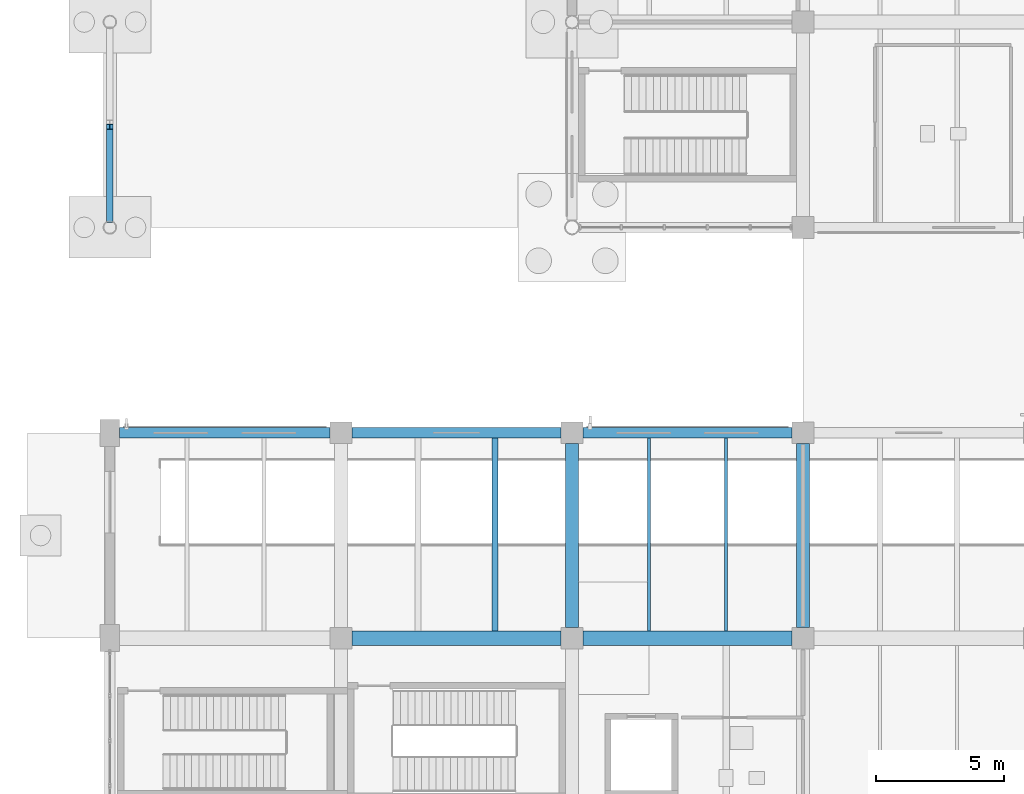
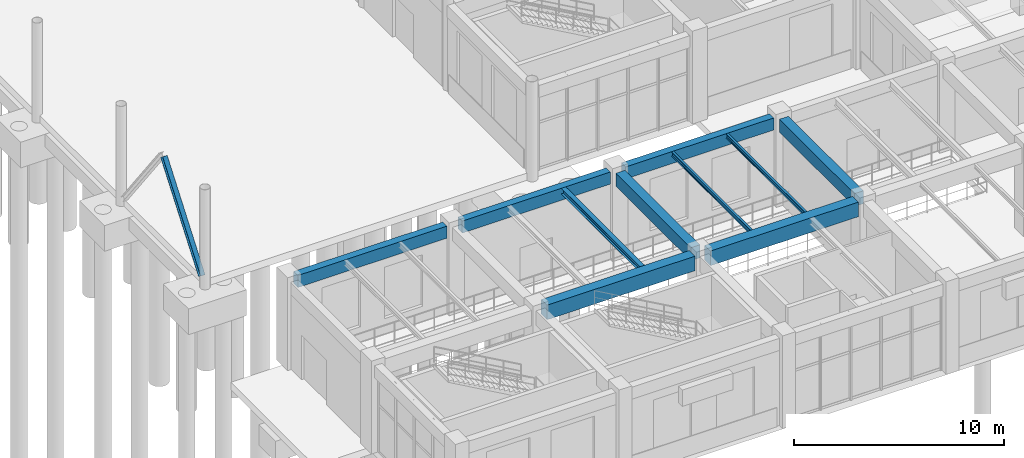
# One storey, part 19 of 121: 10 beams, 1 member.
"""IFC4 building model written with IfcOpenShell, lengths in metres."""

from ifc_helpers import new_model, si_unit, derived_unit, direction, frame, origin, origin_2d, place, context, subcontext, project, spatial, rectangle, i_section, extrude, material, material_profile, profile_set, type_object, element, save


model = new_model("IFC4")

# Units and contexts
model_context = context("Model", 3, precision=1e-05, world=origin(), true_north=direction((0.0, 1.0)))
body_context = subcontext(model_context, "Body", "Model", "MODEL_VIEW")
ifc_project = project(units=[si_unit("LENGTHUNIT", "METRE"), si_unit("AREAUNIT", "SQUARE_METRE"), si_unit("VOLUMEUNIT", "CUBIC_METRE"), si_unit("PLANEANGLEUNIT", "RADIAN"), si_unit("MASSUNIT", "GRAM", prefix="KILO"), derived_unit("THERMALTRANSMITTANCEUNIT", [(si_unit("MASSUNIT", "GRAM", prefix="KILO"), 1), (si_unit("TIMEUNIT", "SECOND"), -3), (si_unit("THERMODYNAMICTEMPERATUREUNIT", "KELVIN"), -1)])], contexts=[model_context])

# Site, building, storey
site_placement = place(None, origin())
site = spatial("IfcSite", under=ifc_project, at=site_placement, CompositionType="ELEMENT")
building_placement = place(site_placement, origin())
building = spatial("IfcBuilding", under=site, at=building_placement, Name="Zhenchuan Archway Interchange", CompositionType="ELEMENT")
storey_placement = place(building_placement, origin())
storey = spatial("IfcBuildingStorey", under=building, at=storey_placement, Name="L00", CompositionType="ELEMENT", Elevation=0.0)

# Beams
ifc_material_1 = material(Name="Concrete C40", Category="concrete")
ifc_material_profile_1 = material_profile(ifc_material_1, rectangle(XDim=0.5, YDim=0.75, at=origin_2d()), Name="RC 500x750")
ifc_profile_set_1 = profile_set([ifc_material_profile_1], Name="Concrete C40")
beam_type_1 = type_object("IfcBeamType", Name="BM_RC_500x750", PredefinedType="BEAM", material=ifc_profile_set_1)
for number, where, z_axis, x_axis, name in (
    (1, (18.0, 8.425048828125, 4.705078125), (0.0, 1.0, 0.0), (-1.0, 0.0, 0.0), "Beam 3:B-C (L00)"),
    (2, (27.0, 8.425048828125, 4.705078125), (0.0, 1.0, 0.0), (-1.0, 0.0, 0.0), "Beam 4:B-C (L00)"),
):
    element("IfcBeam", number, at=place(storey_placement, frame(where, z_axis=z_axis, x_axis=x_axis)), inside=storey, type_object=beam_type_1, Name=name, PredefinedType="BEAM", context=body_context, shape_type="SweptSolid", body=[
        extrude(rectangle(XDim=0.5, YDim=0.75, at=origin_2d()), origin(), (0.0, 0.0, 1.0), 7.14990234375),
    ])
ifc_material_profile_2 = material_profile(ifc_material_1, rectangle(XDim=0.550048828125, YDim=0.85009765625, at=origin_2d()), Name="RC 550x850")
ifc_profile_set_2 = profile_set([ifc_material_profile_2], Name="Concrete C40")
beam_type_2 = type_object("IfcBeamType", Name="BM_RC_550x850", PredefinedType="BEAM", material=ifc_profile_set_2)
for number, where, z_axis, x_axis, name in (
    (3, (9.425048828125, 8.0, 4.655029296875), (1.0, 0.0, 0.0), (0.0, 1.0, 0.0), "Beam B:2-3 (L00)"),
    (4, (18.425048828125, 8.0, 4.655029296875), (1.0, 0.0, 0.0), (0.0, 1.0, 0.0), "Beam B:3-4 (L00)"),
):
    element("IfcBeam", number, at=place(storey_placement, frame(where, z_axis=z_axis, x_axis=x_axis)), inside=storey, type_object=beam_type_2, Name=name, PredefinedType="BEAM", context=body_context, shape_type="SweptSolid", body=[
        extrude(rectangle(XDim=0.550048828125, YDim=0.85009765625, at=origin_2d()), origin(), (0.0, 0.0, 1.0), 8.14990234375),
    ])
ifc_material_2 = material(Name="Steel Q355", Category="steel")
ifc_material_profile_3 = material_profile(ifc_material_2, i_section(OverallWidth=0.25, OverallDepth=0.340087890625, WebThickness=0.009033203125, FlangeThickness=0.013916015625, FilletRadius=0.01806640625, at=origin_2d()), Name="HM 340x250")
ifc_profile_set_3 = profile_set([ifc_material_profile_3], Name="Steel Q355")
beam_type_3 = type_object("IfcBeamType", Name="JST_STL_HM340", PredefinedType="JOIST", material=ifc_profile_set_3)
beam_1_placement = place(storey_placement, frame((15.0, 8.27490234375, 4.909912109375), z_axis=(0.0, 1.0, 0.0), x_axis=(-1.0, 0.0, 0.0)))
element("IfcBeam", 5, at=beam_1_placement, inside=storey, type_object=beam_type_3, Name="Secondary joist 2-3/B-C #2 (L00)", PredefinedType="JOIST", context=body_context, shape_type="SweptSolid", body=[
    extrude(i_section(OverallWidth=0.25, OverallDepth=0.340087890625, WebThickness=0.009033203125, FlangeThickness=0.013916015625, FilletRadius=0.01806640625, at=origin_2d()), origin(), (0.0, 0.0, 1.0), 7.525146484375),
])
ifc_material_profile_4 = material_profile(ifc_material_2, i_section(OverallWidth=0.125, OverallDepth=0.25, WebThickness=0.006103515625, FlangeThickness=0.009033203125, FilletRadius=0.011962890625, at=origin_2d()), Name="HN 250x125")
ifc_profile_set_4 = profile_set([ifc_material_profile_4], Name="Steel Q355")
beam_type_4 = type_object("IfcBeamType", Name="JST_STL_HN250", PredefinedType="JOIST", material=ifc_profile_set_4)
for number, where, z_axis, x_axis, name in (
    (6, (21.0, 8.27490234375, 4.955078125), (0.0, 1.0, 0.0), (-1.0, 0.0, 0.0), "Secondary joist 3-4/B-C #1 (L00)"),
    (7, (24.0, 8.27490234375, 4.955078125), (0.0, 1.0, 0.0), (-1.0, 0.0, 0.0), "Secondary joist 3-4/B-C #2 (L00)"),
):
    element("IfcBeam", number, at=place(storey_placement, frame(where, z_axis=z_axis, x_axis=x_axis)), inside=storey, type_object=beam_type_4, Name=name, PredefinedType="JOIST", context=body_context, shape_type="SweptSolid", body=[
        extrude(i_section(OverallWidth=0.125, OverallDepth=0.25, WebThickness=0.006103515625, FlangeThickness=0.009033203125, FilletRadius=0.011962890625, at=origin_2d()), origin(), (0.0, 0.0, 1.0), 7.525146484375),
    ])

# Member
ifc_material_profile_5 = material_profile(ifc_material_2, i_section(OverallWidth=0.25, OverallDepth=0.25, WebThickness=0.009033203125, FlangeThickness=0.013916015625, FilletRadius=0.01611328125, at=origin_2d()), Name="HW 250x250")
ifc_profile_set_5 = profile_set([ifc_material_profile_5], Name="Steel Q355")
member_type = type_object("IfcMemberType", Name="MB_HW250", PredefinedType="BRACE", material=ifc_profile_set_5)
member_placement = place(storey_placement, frame((0.0, 24.300048828125, 0.050048828125), z_axis=(0.0, 0.606130661201, 0.795365086958), x_axis=(-1.0, 0.0, 0.0)))
element("IfcMember", 8, at=member_placement, inside=storey, type_object=member_type, Name="Bus canopy lateral chevron brace B1L (L00)", PredefinedType="BRACE", context=body_context, shape_type="SweptSolid", body=[
    extrude(i_section(OverallWidth=0.25, OverallDepth=0.25, WebThickness=0.009033203125, FlangeThickness=0.013916015625, FilletRadius=0.01611328125, at=origin_2d()), origin(), (0.0, 0.0, 1.0), 5.97216796875),
])

# Beams
ifc_material_profile_6 = material_profile(ifc_material_1, rectangle(XDim=0.39990234375, YDim=0.699951171875, at=origin_2d()), Name="RC 400x700")
ifc_profile_set_6 = profile_set([ifc_material_profile_6], Name="Concrete C40")
beam_type_5 = type_object("IfcBeamType", Name="SP_RC_400x700", PredefinedType="SPANDREL", material=ifc_profile_set_6)
beam_2_placement = place(storey_placement, frame((0.375, 16.0, 4.72998046875), z_axis=(1.0, 0.0, 0.0), x_axis=(0.0, 1.0, 0.0)))
element("IfcBeam", 9, at=beam_2_placement, inside=storey, type_object=beam_type_5, Name="Beam C:1-2 (L00)", PredefinedType="SPANDREL", context=body_context, shape_type="SweptSolid", body=[
    extrude(rectangle(XDim=0.39990234375, YDim=0.699951171875, at=origin_2d()), origin(), (0.0, 0.0, 1.0), 8.199951171875),
])
for number, where, z_axis, x_axis, name in (
    (10, (9.425048828125, 16.0, 4.72998046875), (1.0, 0.0, 0.0), (0.0, 1.0, 0.0), "Beam C:2-3 (L00)"),
    (11, (18.425048828125, 16.0, 4.72998046875), (1.0, 0.0, 0.0), (0.0, 1.0, 0.0), "Beam C:3-4 (L00)"),
):
    element("IfcBeam", number, at=place(storey_placement, frame(where, z_axis=z_axis, x_axis=x_axis)), inside=storey, type_object=beam_type_5, Name=name, PredefinedType="SPANDREL", context=body_context, shape_type="SweptSolid", body=[
        extrude(rectangle(XDim=0.39990234375, YDim=0.699951171875, at=origin_2d()), origin(), (0.0, 0.0, 1.0), 8.14990234375),
    ])

save(model, "model.ifc")
